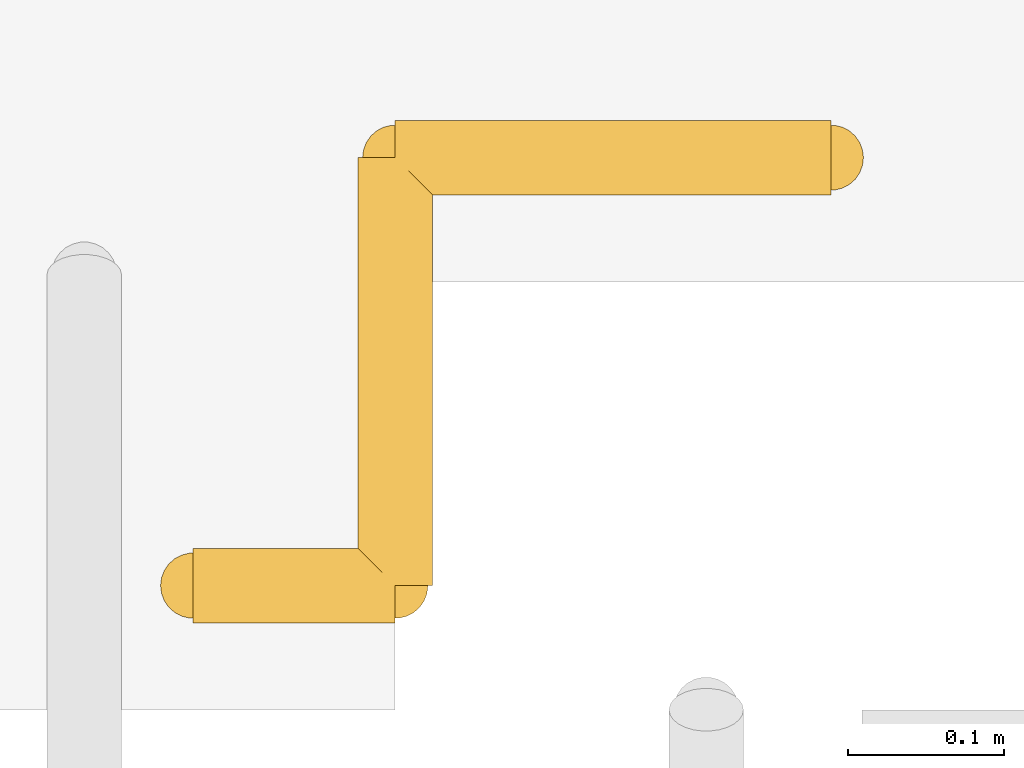
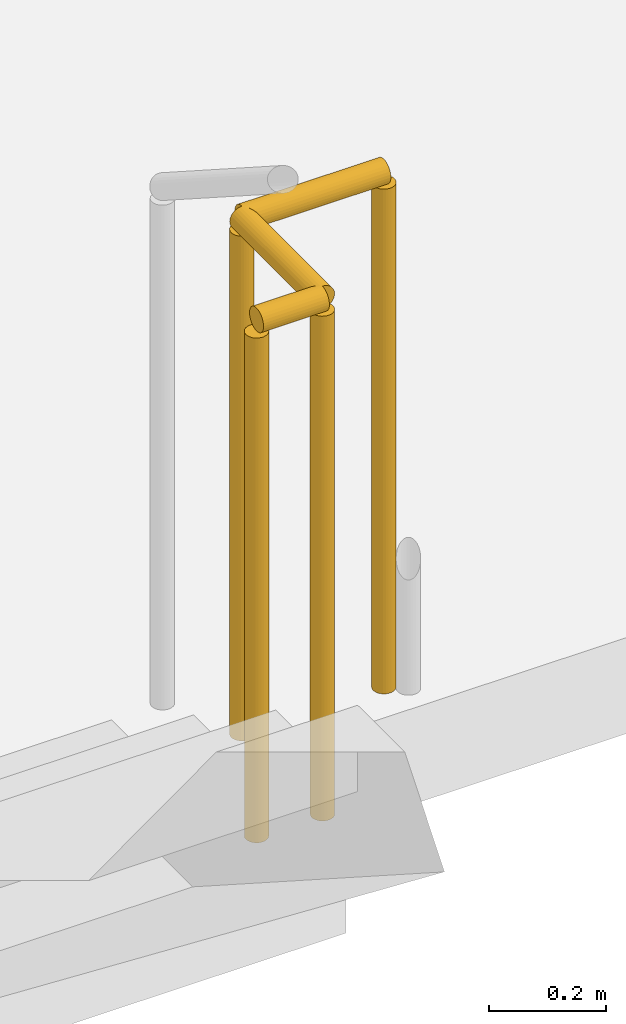
# One storey, part 28 of 30: 1 railing.
"""IFC4 building model written with IfcOpenShell, lengths in metres."""

from ifc_helpers import new_model, si_unit, direction, frame, origin, origin_2d, place, context, subcontext, project, spatial, circle, extrude, material, type_object, element, save


model = new_model("IFC4")

# Units and contexts
model_context = context("Model", 3, precision=1e-05, world=origin(), true_north=direction((0.0, 1.0)))
body_context = subcontext(model_context, "Body", "Model", "MODEL_VIEW")
ifc_project = project(units=[si_unit("LENGTHUNIT", "METRE"), si_unit("AREAUNIT", "SQUARE_METRE"), si_unit("VOLUMEUNIT", "CUBIC_METRE"), si_unit("PLANEANGLEUNIT", "RADIAN"), si_unit("MASSUNIT", "GRAM", prefix="KILO")], contexts=[model_context])

# Site, building, storey
site_placement = place(None, origin())
site = spatial("IfcSite", under=ifc_project, at=site_placement, CompositionType="ELEMENT")
building_placement = place(site_placement, origin())
building = spatial("IfcBuilding", under=site, at=building_placement, Name="Claustro Exchange Tower", CompositionType="ELEMENT")
storey_placement = place(building_placement, frame((0.0, 0.0, 5.39990234375)))
storey = spatial("IfcBuildingStorey", under=building, at=storey_placement, Name="L01", CompositionType="ELEMENT", Elevation=5.39990234375)

# Railing
ifc_material = material(Name="Steel balustrade, painted", Category="steel")
railing_type = type_object("IfcRailingType", Name="GR2 1100 steel stair guard", PredefinedType="GUARDRAIL", material=ifc_material)
railing_placement = place(storey_placement, frame((3.6201171875, 57.179931640625, 0.0)))
element("IfcRailing", 1, at=railing_placement, inside=storey, type_object=railing_type, Name="Stair guard GR2 STP3 L01", PredefinedType="GUARDRAIL", context=body_context, shape_type="SweptSolid", body=[
    extrude(circle(Radius=0.02392578125, at=origin_2d()), frame((0.0, 0.0, 1.076171875), z_axis=(1.0, 0.0, 0.0), x_axis=(0.0, 1.0, 0.0)), (0.0, 0.0, 1.0), 0.1298828125),
    extrude(circle(Radius=0.02392578125, at=origin_2d()), frame((0.1298828125, 0.0, 1.076171875), z_axis=(0.0, 1.0, 0.0), x_axis=(-1.0, 0.0, 0.0)), (0.0, 0.0, 1.0), 0.275146484375),
    extrude(circle(Radius=0.02392578125, at=origin_2d()), frame((0.1298828125, 0.275146484375, 1.076171875), z_axis=(1.0, 0.0, 0.0), x_axis=(0.0, 1.0, 0.0)), (0.0, 0.0, 1.0), 0.280029296875),
    extrude(circle(Radius=0.02099609375, at=origin_2d()), origin(), (0.0, 0.0, 1.0), 1.052001953125),
    extrude(circle(Radius=0.02099609375, at=origin_2d()), frame((0.1298828125, 0.0, 0.0)), (0.0, 0.0, 1.0), 1.052001953125),
    extrude(circle(Radius=0.02099609375, at=origin_2d()), frame((0.1298828125, 0.275146484375, 0.0)), (0.0, 0.0, 1.0), 1.052001953125),
    extrude(circle(Radius=0.02099609375, at=origin_2d()), frame((0.409912109375, 0.275146484375, 0.0)), (0.0, 0.0, 1.0), 1.052001953125),
])

save(model, "model.ifc")
